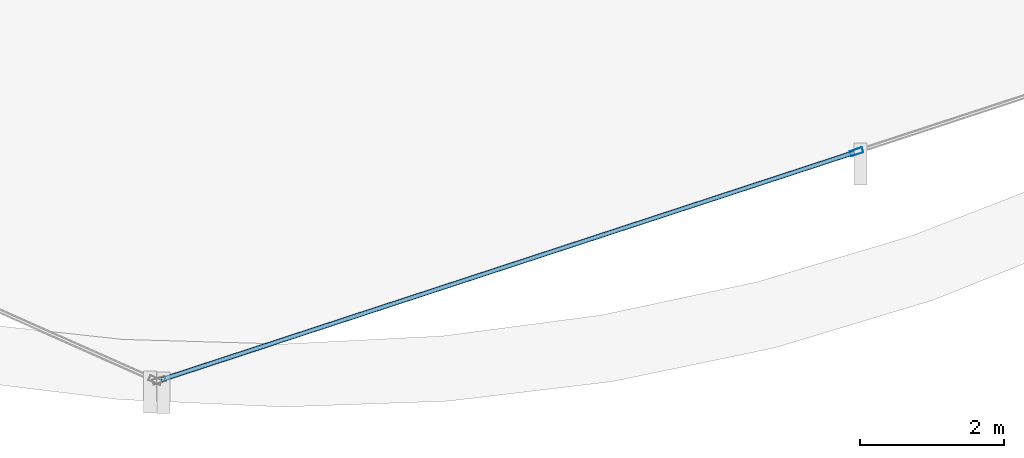
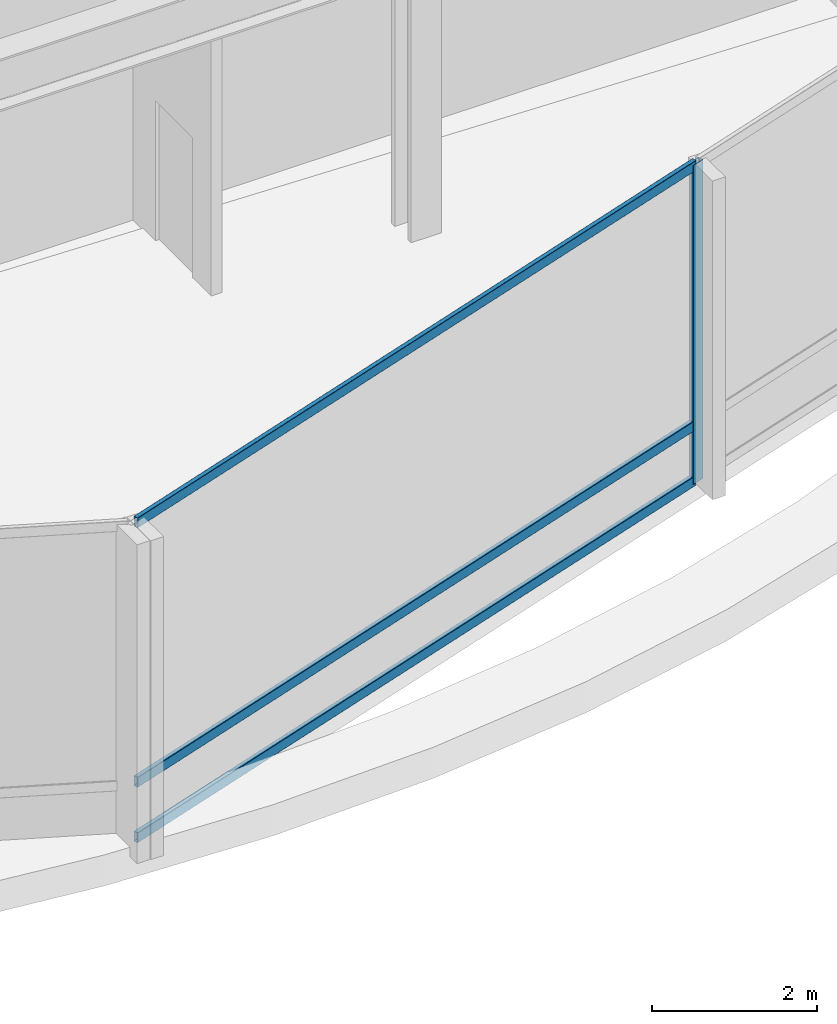
# One storey, part 10 of 39: 4 members, 1 element without a shape of its own.
"""IFC4 building model written with IfcOpenShell, lengths in metres."""

from ifc_helpers import new_model, si_unit, direction, frame, origin, origin_2d, place, context, subcontext, project, spatial, hollow_rectangle, extrude, material, layer, layer_set, material_profile, profile_set, type_object, element, aggregate, save


model = new_model("IFC4")

# Units and contexts
model_context = context("Model", 3, precision=1e-05, world=origin(), true_north=direction((0.0, 1.0)))
body_context = subcontext(model_context, "Body", "Model", "MODEL_VIEW")
ifc_project = project(units=[si_unit("LENGTHUNIT", "METRE"), si_unit("AREAUNIT", "SQUARE_METRE"), si_unit("VOLUMEUNIT", "CUBIC_METRE"), si_unit("PLANEANGLEUNIT", "RADIAN"), si_unit("MASSUNIT", "GRAM", prefix="KILO")], contexts=[model_context])

# Site, building, storey
site_placement = place(None, origin())
site = spatial("IfcSite", under=ifc_project, at=site_placement, CompositionType="ELEMENT")
building_placement = place(site_placement, origin())
building = spatial("IfcBuilding", under=site, at=building_placement, Name="Solvaryn Broadcast Tower", CompositionType="ELEMENT")
storey_placement = place(building_placement, frame((0.0, 0.0, 84.10009765625)))
storey = spatial("IfcBuildingStorey", under=building, at=storey_placement, Name="L20", CompositionType="ELEMENT", Elevation=84.10009765625)

# Curtain wall, members
ifc_material_1 = material(Name="Aluminium and Terracotta Unitised Curtain Wall", Category="masonry")
ifc_layer = layer(ifc_material_1, 0.25)
ifc_layer_set = layer_set([ifc_layer], Name="CW-SYS4-SKYGARDEN")
curtain_wall_type = type_object("IfcCurtainWallType", Name="CW-SYS4-SKYGARDEN", PredefinedType="NOTDEFINED", material=ifc_layer_set)
curtain_wall_placement = place(storey_placement, origin())
curtain_wall = element("IfcCurtainWall", 1, at=curtain_wall_placement, inside=storey, type_object=curtain_wall_type, Name="L20 Curtain Wall DR4", PredefinedType="NOTDEFINED")
ifc_material_2 = material(Name="Anodised Aluminium 6063-T6", Category="aluminium")
ifc_material_profile_1 = material_profile(ifc_material_2, hollow_rectangle(XDim=0.074951171875, YDim=0.179931640625, WallThickness=0.00390625, InnerFilletRadius=0.00390625, OuterFilletRadius=0.008056640625, at=origin_2d()))
ifc_profile_set_1 = profile_set([ifc_material_profile_1], Name="Anodised Aluminium 6063-T6")
member_type_1 = type_object("IfcMemberType", Name="CW-MUL-180", PredefinedType="MULLION", material=ifc_profile_set_1)
member_1_placement = place(storey_placement, frame((36.2880859375, 2.72607421875, 0.0), z_axis=(0.0, 0.0, 1.0), x_axis=(-0.311594044587, 0.950215318429, 0.0)))
member_1 = element("IfcMember", 2, at=member_1_placement, type_object=member_type_1, Name="CWS4 mullion 2", PredefinedType="MULLION", context=body_context, shape_type="SweptSolid", body=[
    extrude(hollow_rectangle(XDim=0.074951171875, YDim=0.179931640625, WallThickness=0.00390625, InnerFilletRadius=0.00390625, OuterFilletRadius=0.008056640625, at=origin_2d()), origin(), (0.0, 0.0, 1.0), 4.719970703125),
])
ifc_material_3 = material(Name="Anodised Aluminium 6063-T6", Category="aluminium")
ifc_material_profile_2 = material_profile(ifc_material_3, hollow_rectangle(XDim=0.06494140625, YDim=0.14990234375, WallThickness=0.00390625, InnerFilletRadius=0.00390625, OuterFilletRadius=0.008056640625, at=origin_2d()))
ifc_profile_set_2 = profile_set([ifc_material_profile_2], Name="Anodised Aluminium 6063-T6")
member_type_2 = type_object("IfcMemberType", Name="CW-TRN-150", PredefinedType="USERDEFINED", material=ifc_profile_set_2)
member_2_placement = place(storey_placement, frame((26.616943359375, -0.4453125, 0.02978515625), z_axis=(0.950218915167, 0.311583076016, 0.0), x_axis=(-0.311583076016, 0.950218915167, 0.0)))
member_2 = element("IfcMember", 3, at=member_2_placement, type_object=member_type_2, Name="CWS4 transom 1.1", ObjectType="TRANSOM", PredefinedType="USERDEFINED", context=body_context, shape_type="SweptSolid", body=[
    extrude(hollow_rectangle(XDim=0.06494140625, YDim=0.14990234375, WallThickness=0.00390625, InnerFilletRadius=0.00390625, OuterFilletRadius=0.008056640625, at=origin_2d()), origin(), (0.0, 0.0, 1.0), 10.147705078125),
])
member_3_placement = place(storey_placement, frame((26.616943359375, -0.4453125, 0.849853515625), z_axis=(0.950218915167, 0.311583076016, 0.0), x_axis=(-0.311583076016, 0.950218915167, 0.0)))
member_3 = element("IfcMember", 4, at=member_3_placement, type_object=member_type_2, Name="CWS4 transom 1.2", ObjectType="TRANSOM", PredefinedType="USERDEFINED", context=body_context, shape_type="SweptSolid", body=[
    extrude(hollow_rectangle(XDim=0.06494140625, YDim=0.14990234375, WallThickness=0.00390625, InnerFilletRadius=0.00390625, OuterFilletRadius=0.008056640625, at=origin_2d()), origin(), (0.0, 0.0, 1.0), 10.147705078125),
])
member_4_placement = place(storey_placement, frame((26.616943359375, -0.4453125, 4.68994140625), z_axis=(0.950218915167, 0.311583076016, 0.0), x_axis=(-0.311583076016, 0.950218915167, 0.0)))
member_4 = element("IfcMember", 5, at=member_4_placement, type_object=member_type_2, Name="CWS4 transom 1.3", ObjectType="TRANSOM", PredefinedType="USERDEFINED", context=body_context, shape_type="SweptSolid", body=[
    extrude(hollow_rectangle(XDim=0.06494140625, YDim=0.14990234375, WallThickness=0.00390625, InnerFilletRadius=0.00390625, OuterFilletRadius=0.008056640625, at=origin_2d()), origin(), (0.0, 0.0, 1.0), 10.147705078125),
])
aggregate(curtain_wall, [member_1, member_2, member_3, member_4])

save(model, "model.ifc")
